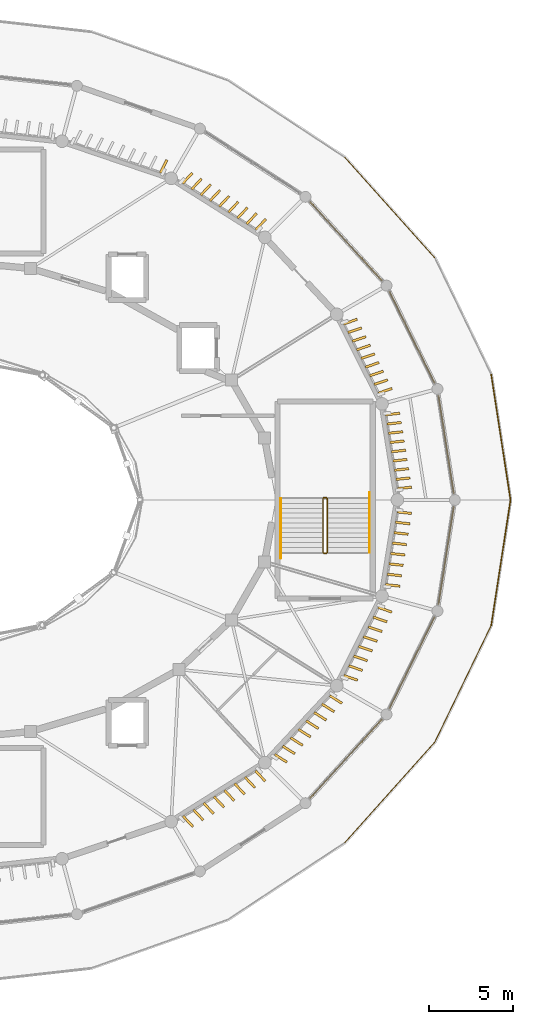
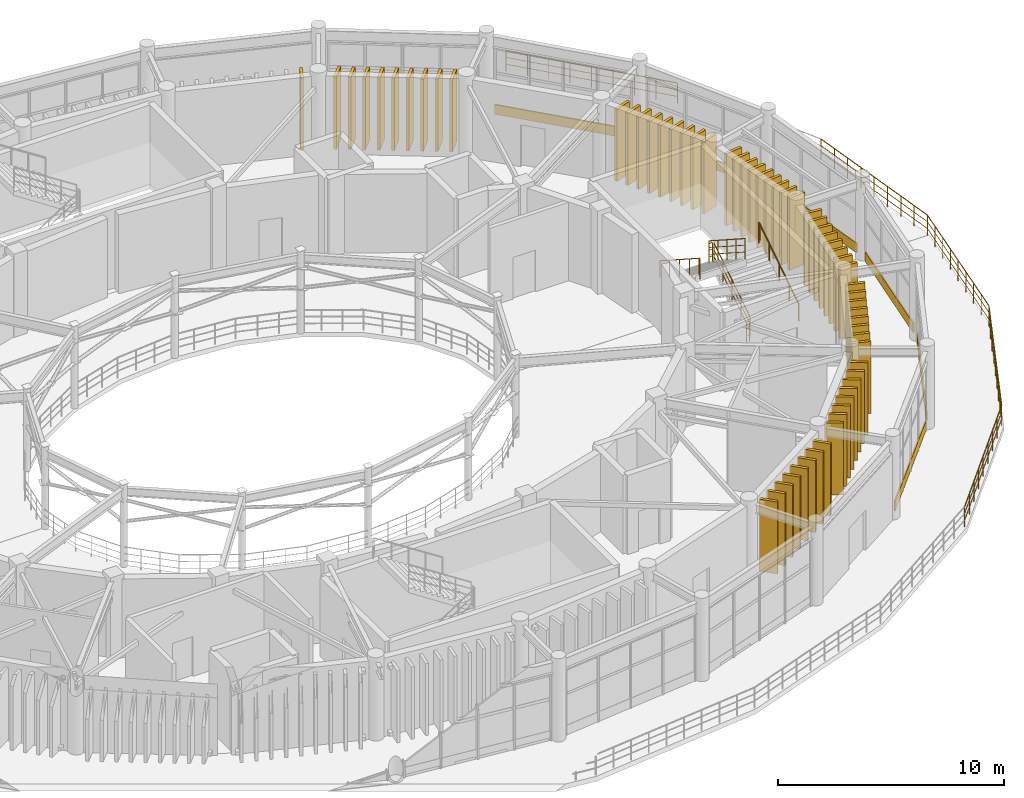
# One storey, part 44 of 45: 60 shading devices, 11 railings, 6 coverings.
"""IFC4 building model written with IfcOpenShell, lengths in metres."""

from ifc_helpers import new_model, si_unit, direction, frame, origin, origin_2d, place, context, subcontext, project, spatial, rectangle, circle, extrude, material, layer, layer_set, type_object, element, save


model = new_model("IFC4")

# Units and contexts
model_context = context("Model", 3, precision=1e-05, world=origin(), true_north=direction((0.0, 1.0)))
body_context = subcontext(model_context, "Body", "Model", "MODEL_VIEW")
ifc_project = project(units=[si_unit("LENGTHUNIT", "METRE"), si_unit("AREAUNIT", "SQUARE_METRE"), si_unit("VOLUMEUNIT", "CUBIC_METRE"), si_unit("PLANEANGLEUNIT", "RADIAN"), si_unit("MASSUNIT", "GRAM", prefix="KILO")], contexts=[model_context])

# Site, building, storey
site_placement = place(None, origin())
site = spatial("IfcSite", under=ifc_project, at=site_placement, CompositionType="ELEMENT")
building_placement = place(site_placement, origin())
building = spatial("IfcBuilding", under=site, at=building_placement, Name="Cinderbank Siding Concert Hall", CompositionType="ELEMENT")
storey_placement = place(building_placement, frame((0.0, 0.0, 19.199951171875)))
storey = spatial("IfcBuildingStorey", under=building, at=storey_placement, Name="L05", CompositionType="ELEMENT", Elevation=19.199951171875)

# Coverings
ifc_material_1 = material(Name="Spotted gum glulam timber GL18 (42 MPa)", Category="wood")
ifc_layer = layer(ifc_material_1, 0.06494140625)
ifc_layer_set = layer_set([ifc_layer], Name="Spotted gum glulam timber GL18 (42 MPa)")
covering_type = type_object("IfcCoveringType", Name="CL-01 Spotted Gum Spandrel Band 520mm", PredefinedType="CLADDING", material=ifc_layer_set)
covering_1_placement = place(storey_placement, frame((151.685546875, 47.287109375, 0.0), z_axis=(0.0, 0.0, 1.0), x_axis=(-0.154642773708, 0.987970451248, 0.0)))
element("IfcCovering", 1, at=covering_1_placement, inside=storey, type_object=covering_type, Name="CW-L05-072 Spotted Gum Spandrel Band", PredefinedType="CLADDING", context=body_context, shape_type="SweptSolid", body=[
    extrude(rectangle(XDim=5.8740234375, YDim=0.06494140625, at=origin_2d()), origin(), (0.0, 0.0, 1.0), 0.52001953125),
])
covering_2_placement = place(storey_placement, frame((149.66259765625, 53.636962890625, 0.0), z_axis=(0.0, 0.0, 1.0), x_axis=(-0.441816401468, 0.897105494016, 0.0)))
element("IfcCovering", 2, at=covering_2_placement, inside=storey, type_object=covering_type, Name="CW-L05-073 Spotted Gum Spandrel Band", PredefinedType="CLADDING", context=body_context, shape_type="SweptSolid", body=[
    extrude(rectangle(XDim=6.048583984375, YDim=0.06494140625, at=origin_2d()), origin(), (0.0, 0.0, 1.0), 0.52001953125),
])
for number, where, z_axis, x_axis, name in (
    (3, (145.75439453125, 59.330322265625, 0.0), (0.0, 0.0, 1.0), (-0.673988610863, 0.738741735945, 0.0), "CW-L05-074 Spotted Gum Spandrel Band"),
    (4, (145.75439453125, 28.669921875, 0.0), (0.0, 0.0, 1.0), (0.673988610863, 0.738741735945, 0.0), "CW-L05-090 Spotted Gum Spandrel Band"),
):
    element("IfcCovering", number, at=place(storey_placement, frame(where, z_axis=z_axis, x_axis=x_axis)), inside=storey, type_object=covering_type, Name=name, PredefinedType="CLADDING", context=body_context, shape_type="SweptSolid", body=[
        extrude(rectangle(XDim=6.3408203125, YDim=0.06494140625, at=origin_2d()), origin(), (0.0, 0.0, 1.0), 0.52001953125),
    ])
covering_3_placement = place(storey_placement, frame((149.66259765625, 34.363037109375, 0.0), z_axis=(0.0, 0.0, 1.0), x_axis=(0.441816401468, 0.897105494016, 0.0)))
element("IfcCovering", 5, at=covering_3_placement, inside=storey, type_object=covering_type, Name="CW-L05-091 Spotted Gum Spandrel Band", PredefinedType="CLADDING", context=body_context, shape_type="SweptSolid", body=[
    extrude(rectangle(XDim=6.048583984375, YDim=0.06494140625, at=origin_2d()), origin(), (0.0, 0.0, 1.0), 0.52001953125),
])
covering_4_placement = place(storey_placement, frame((151.685546875, 40.712890625, 0.0), z_axis=(0.0, 0.0, 1.0), x_axis=(0.154642773708, 0.987970451248, 0.0)))
element("IfcCovering", 6, at=covering_4_placement, inside=storey, type_object=covering_type, Name="CW-L05-092 Spotted Gum Spandrel Band", PredefinedType="CLADDING", context=body_context, shape_type="SweptSolid", body=[
    extrude(rectangle(XDim=5.8740234375, YDim=0.06494140625, at=origin_2d()), origin(), (0.0, 0.0, 1.0), 0.52001953125),
])

# Railings
ifc_material_2 = material(Name="Structural steel AS/NZS 3679.1 Grade 350 (340 MPa)", Category="steel")
railing_type_1 = type_object("IfcRailingType", Name="GD-01 Terrace & Perimeter Guardrail 1120mm", PredefinedType="GUARDRAIL", material=ifc_material_2)
railing_1_placement = place(storey_placement, frame((145.693115234375, 64.288330078125, 0.0)))
element("IfcRailing", 7, at=railing_1_placement, inside=storey, type_object=railing_type_1, Name="L05 Perimeter Guardrail #104", PredefinedType="GUARDRAIL", context=body_context, shape_type="SweptSolid", body=[
    extrude(circle(Radius=0.02392578125, at=origin_2d()), frame((0.0, 0.0, 1.09619140625), z_axis=(0.666982673657, -0.745073226631, 0.0), x_axis=(0.745073226631, 0.666982673657, 0.0)), (0.0, 0.0, 1.0), 7.978515625),
    extrude(circle(Radius=0.01611328125, at=origin_2d()), frame((0.0, 0.0, 0.36962890625), z_axis=(0.666982673657, -0.745073226631, 0.0), x_axis=(0.745073226631, 0.666982673657, 0.0)), (0.0, 0.0, 1.0), 7.978515625),
    extrude(circle(Radius=0.01611328125, at=origin_2d()), frame((0.0, 0.0, 0.7392578125), z_axis=(0.666982673657, -0.745073226631, 0.0), x_axis=(0.745073226631, 0.666982673657, 0.0)), (0.0, 0.0, 1.0), 7.978515625),
    extrude(circle(Radius=0.02099609375, at=origin_2d()), origin(), (0.0, 0.0, 1.0), 1.072021484375),
    extrude(circle(Radius=0.02099609375, at=origin_2d()), frame((0.665283203125, -0.7431640625, 0.0)), (0.0, 0.0, 1.0), 1.072021484375),
    extrude(circle(Radius=0.02099609375, at=origin_2d()), frame((1.330322265625, -1.486083984375, 0.0)), (0.0, 0.0, 1.0), 1.072021484375),
    extrude(circle(Radius=0.02099609375, at=origin_2d()), frame((1.99560546875, -2.229248046875, 0.0)), (0.0, 0.0, 1.0), 1.072021484375),
    extrude(circle(Radius=0.02099609375, at=origin_2d()), frame((2.66064453125, -2.97216796875, 0.0)), (0.0, 0.0, 1.0), 1.072021484375),
    extrude(circle(Radius=0.02099609375, at=origin_2d()), frame((3.325927734375, -3.71533203125, 0.0)), (0.0, 0.0, 1.0), 1.072021484375),
    extrude(circle(Radius=0.02099609375, at=origin_2d()), frame((3.9912109375, -4.45849609375, 0.0)), (0.0, 0.0, 1.0), 1.072021484375),
    extrude(circle(Radius=0.02099609375, at=origin_2d()), frame((4.65625, -5.201416015625, 0.0)), (0.0, 0.0, 1.0), 1.072021484375),
    extrude(circle(Radius=0.02099609375, at=origin_2d()), frame((5.321533203125, -5.944580078125, 0.0)), (0.0, 0.0, 1.0), 1.072021484375),
])
railing_2_placement = place(storey_placement, frame((154.3583984375, 51.424072265625, 0.0)))
element("IfcRailing", 8, at=railing_2_placement, inside=storey, type_object=railing_type_1, Name="L05 Perimeter Guardrail #106", PredefinedType="GUARDRAIL", context=body_context, shape_type="SweptSolid", body=[
    extrude(circle(Radius=0.02392578125, at=origin_2d()), frame((0.0, 0.0, 1.09619140625), z_axis=(0.151825144427, -0.988407368204, 0.0), x_axis=(0.988407368204, 0.151825144427, 0.0)), (0.0, 0.0, 1.0), 7.51123046875),
    extrude(circle(Radius=0.01611328125, at=origin_2d()), frame((0.0, 0.0, 0.36962890625), z_axis=(0.151825144427, -0.988407368204, 0.0), x_axis=(0.988407368204, 0.151825144427, 0.0)), (0.0, 0.0, 1.0), 7.51123046875),
    extrude(circle(Radius=0.01611328125, at=origin_2d()), frame((0.0, 0.0, 0.7392578125), z_axis=(0.151825144427, -0.988407368204, 0.0), x_axis=(0.988407368204, 0.151825144427, 0.0)), (0.0, 0.0, 1.0), 7.51123046875),
    extrude(circle(Radius=0.02099609375, at=origin_2d()), origin(), (0.0, 0.0, 1.0), 1.072021484375),
    extrude(circle(Radius=0.02099609375, at=origin_2d()), frame((0.142578125, -0.927978515625, 0.0)), (0.0, 0.0, 1.0), 1.072021484375),
    extrude(circle(Radius=0.02099609375, at=origin_2d()), frame((0.28515625, -1.85595703125, 0.0)), (0.0, 0.0, 1.0), 1.072021484375),
    extrude(circle(Radius=0.02099609375, at=origin_2d()), frame((0.427734375, -2.783935546875, 0.0)), (0.0, 0.0, 1.0), 1.072021484375),
    extrude(circle(Radius=0.02099609375, at=origin_2d()), frame((0.5703125, -3.7119140625, 0.0)), (0.0, 0.0, 1.0), 1.072021484375),
    extrude(circle(Radius=0.02099609375, at=origin_2d()), frame((0.712646484375, -4.64013671875, 0.0)), (0.0, 0.0, 1.0), 1.072021484375),
    extrude(circle(Radius=0.02099609375, at=origin_2d()), frame((0.855224609375, -5.568115234375, 0.0)), (0.0, 0.0, 1.0), 1.072021484375),
    extrude(circle(Radius=0.02099609375, at=origin_2d()), frame((0.997802734375, -6.49609375, 0.0)), (0.0, 0.0, 1.0), 1.072021484375),
    extrude(circle(Radius=0.02099609375, at=origin_2d()), frame((1.140380859375, -7.424072265625, 0.0)), (0.0, 0.0, 1.0), 1.072021484375),
])
railing_3_placement = place(storey_placement, frame((155.498779296875, 44.0, 0.0)))
element("IfcRailing", 9, at=railing_3_placement, inside=storey, type_object=railing_type_1, Name="L05 Perimeter Guardrail #107", PredefinedType="GUARDRAIL", context=body_context, shape_type="SweptSolid", body=[
    extrude(circle(Radius=0.02392578125, at=origin_2d()), frame((0.0, 0.0, 1.09619140625), z_axis=(-0.151825144427, -0.988407368204, 0.0), x_axis=(0.988407368204, -0.151825144427, 0.0)), (0.0, 0.0, 1.0), 7.51123046875),
    extrude(circle(Radius=0.01611328125, at=origin_2d()), frame((0.0, 0.0, 0.36962890625), z_axis=(-0.151825144427, -0.988407368204, 0.0), x_axis=(0.988407368204, -0.151825144427, 0.0)), (0.0, 0.0, 1.0), 7.51123046875),
    extrude(circle(Radius=0.01611328125, at=origin_2d()), frame((0.0, 0.0, 0.7392578125), z_axis=(-0.151825144427, -0.988407368204, 0.0), x_axis=(0.988407368204, -0.151825144427, 0.0)), (0.0, 0.0, 1.0), 7.51123046875),
    extrude(circle(Radius=0.02099609375, at=origin_2d()), origin(), (0.0, 0.0, 1.0), 1.072021484375),
    extrude(circle(Radius=0.02099609375, at=origin_2d()), frame((-0.142578125, -0.927978515625, 0.0)), (0.0, 0.0, 1.0), 1.072021484375),
    extrude(circle(Radius=0.02099609375, at=origin_2d()), frame((-0.28515625, -1.85595703125, 0.0)), (0.0, 0.0, 1.0), 1.072021484375),
    extrude(circle(Radius=0.02099609375, at=origin_2d()), frame((-0.427734375, -2.783935546875, 0.0)), (0.0, 0.0, 1.0), 1.072021484375),
    extrude(circle(Radius=0.02099609375, at=origin_2d()), frame((-0.5703125, -3.7119140625, 0.0)), (0.0, 0.0, 1.0), 1.072021484375),
    extrude(circle(Radius=0.02099609375, at=origin_2d()), frame((-0.712646484375, -4.64013671875, 0.0)), (0.0, 0.0, 1.0), 1.072021484375),
    extrude(circle(Radius=0.02099609375, at=origin_2d()), frame((-0.855224609375, -5.568115234375, 0.0)), (0.0, 0.0, 1.0), 1.072021484375),
    extrude(circle(Radius=0.02099609375, at=origin_2d()), frame((-0.997802734375, -6.49609375, 0.0)), (0.0, 0.0, 1.0), 1.072021484375),
    extrude(circle(Radius=0.02099609375, at=origin_2d()), frame((-1.140380859375, -7.424072265625, 0.0)), (0.0, 0.0, 1.0), 1.072021484375),
])
railing_4_placement = place(storey_placement, frame((154.3583984375, 36.575927734375, 0.0)))
element("IfcRailing", 10, at=railing_4_placement, inside=storey, type_object=railing_type_1, Name="L05 Perimeter Guardrail #108", PredefinedType="GUARDRAIL", context=body_context, shape_type="SweptSolid", body=[
    extrude(circle(Radius=0.02392578125, at=origin_2d()), frame((0.0, 0.0, 1.09619140625), z_axis=(-0.435088399424, -0.900387741302, 0.0), x_axis=(0.900387741302, -0.435088399424, 0.0)), (0.0, 0.0, 1.0), 7.685302734375),
    extrude(circle(Radius=0.01611328125, at=origin_2d()), frame((0.0, 0.0, 0.36962890625), z_axis=(-0.435088399424, -0.900387741302, 0.0), x_axis=(0.900387741302, -0.435088399424, 0.0)), (0.0, 0.0, 1.0), 7.685302734375),
    extrude(circle(Radius=0.01611328125, at=origin_2d()), frame((0.0, 0.0, 0.7392578125), z_axis=(-0.435088399424, -0.900387741302, 0.0), x_axis=(0.900387741302, -0.435088399424, 0.0)), (0.0, 0.0, 1.0), 7.685302734375),
    extrude(circle(Radius=0.02099609375, at=origin_2d()), origin(), (0.0, 0.0, 1.0), 1.072021484375),
    extrude(circle(Radius=0.02099609375, at=origin_2d()), frame((-0.41796875, -0.864990234375, 0.0)), (0.0, 0.0, 1.0), 1.072021484375),
    extrude(circle(Radius=0.02099609375, at=origin_2d()), frame((-0.8359375, -1.72998046875, 0.0)), (0.0, 0.0, 1.0), 1.072021484375),
    extrude(circle(Radius=0.02099609375, at=origin_2d()), frame((-1.25390625, -2.594970703125, 0.0)), (0.0, 0.0, 1.0), 1.072021484375),
    extrude(circle(Radius=0.02099609375, at=origin_2d()), frame((-1.671875, -3.4599609375, 0.0)), (0.0, 0.0, 1.0), 1.072021484375),
    extrude(circle(Radius=0.02099609375, at=origin_2d()), frame((-2.08984375, -4.32470703125, 0.0)), (0.0, 0.0, 1.0), 1.072021484375),
    extrude(circle(Radius=0.02099609375, at=origin_2d()), frame((-2.5078125, -5.189697265625, 0.0)), (0.0, 0.0, 1.0), 1.072021484375),
    extrude(circle(Radius=0.02099609375, at=origin_2d()), frame((-2.92578125, -6.0546875, 0.0)), (0.0, 0.0, 1.0), 1.072021484375),
    extrude(circle(Radius=0.02099609375, at=origin_2d()), frame((-3.34375, -6.919677734375, 0.0)), (0.0, 0.0, 1.0), 1.072021484375),
])
railing_5_placement = place(storey_placement, frame((151.0146484375, 29.65625, 0.0)))
element("IfcRailing", 11, at=railing_5_placement, inside=storey, type_object=railing_type_1, Name="L05 Perimeter Guardrail #109", PredefinedType="GUARDRAIL", context=body_context, shape_type="SweptSolid", body=[
    extrude(circle(Radius=0.02392578125, at=origin_2d()), frame((0.0, 0.0, 1.09619140625), z_axis=(-0.666982673657, -0.745073226631, 0.0), x_axis=(0.745073226631, -0.666982673657, 0.0)), (0.0, 0.0, 1.0), 7.978515625),
    extrude(circle(Radius=0.01611328125, at=origin_2d()), frame((0.0, 0.0, 0.36962890625), z_axis=(-0.666982673657, -0.745073226631, 0.0), x_axis=(0.745073226631, -0.666982673657, 0.0)), (0.0, 0.0, 1.0), 7.978515625),
    extrude(circle(Radius=0.01611328125, at=origin_2d()), frame((0.0, 0.0, 0.7392578125), z_axis=(-0.666982673657, -0.745073226631, 0.0), x_axis=(0.745073226631, -0.666982673657, 0.0)), (0.0, 0.0, 1.0), 7.978515625),
    extrude(circle(Radius=0.02099609375, at=origin_2d()), origin(), (0.0, 0.0, 1.0), 1.072021484375),
    extrude(circle(Radius=0.02099609375, at=origin_2d()), frame((-0.665283203125, -0.7431640625, 0.0)), (0.0, 0.0, 1.0), 1.072021484375),
    extrude(circle(Radius=0.02099609375, at=origin_2d()), frame((-1.330322265625, -1.486083984375, 0.0)), (0.0, 0.0, 1.0), 1.072021484375),
    extrude(circle(Radius=0.02099609375, at=origin_2d()), frame((-1.99560546875, -2.229248046875, 0.0)), (0.0, 0.0, 1.0), 1.072021484375),
    extrude(circle(Radius=0.02099609375, at=origin_2d()), frame((-2.66064453125, -2.97216796875, 0.0)), (0.0, 0.0, 1.0), 1.072021484375),
    extrude(circle(Radius=0.02099609375, at=origin_2d()), frame((-3.325927734375, -3.71533203125, 0.0)), (0.0, 0.0, 1.0), 1.072021484375),
    extrude(circle(Radius=0.02099609375, at=origin_2d()), frame((-3.9912109375, -4.45849609375, 0.0)), (0.0, 0.0, 1.0), 1.072021484375),
    extrude(circle(Radius=0.02099609375, at=origin_2d()), frame((-4.65625, -5.201416015625, 0.0)), (0.0, 0.0, 1.0), 1.072021484375),
    extrude(circle(Radius=0.02099609375, at=origin_2d()), frame((-5.321533203125, -5.944580078125, 0.0)), (0.0, 0.0, 1.0), 1.072021484375),
])

# Shading devices
ifc_material_3 = material(Name="Glazed architectural terracotta acoustic louvre unit", Category="masonry")
shading_device_type = type_object("IfcShadingDeviceType", Name="LV-01 Terracotta Louvre Blade 850x3850", PredefinedType="JALOUSIE", material=ifc_material_3)
for number, where, z_axis, x_axis, name in (
    (12, (149.22119140625, 44.715576171875, 0.0751953125), (0.0, 0.0, 1.0), (0.994210818271, 0.107446958234, 0.0), "L05 Terracotta Louvre Blade #1"),
    (13, (149.133544921875, 45.2626953125, 0.0751953125), (0.0, 0.0, 1.0), (0.994210818271, 0.107446958234, 0.0), "L05 Terracotta Louvre Blade #2"),
    (14, (149.0458984375, 45.809814453125, 0.0751953125), (0.0, 0.0, 1.0), (0.994210818271, 0.107446958234, 0.0), "L05 Terracotta Louvre Blade #3"),
    (15, (148.9580078125, 46.35693359375, 0.0751953125), (0.0, 0.0, 1.0), (0.994210818271, 0.107446958234, 0.0), "L05 Terracotta Louvre Blade #4"),
    (16, (148.870361328125, 46.90380859375, 0.0751953125), (0.0, 0.0, 1.0), (0.994210818271, 0.107446958234, 0.0), "L05 Terracotta Louvre Blade #5"),
    (17, (148.78271484375, 47.450927734375, 0.0751953125), (0.0, 0.0, 1.0), (0.994210818271, 0.107446958234, 0.0), "L05 Terracotta Louvre Blade #6"),
    (18, (148.69482421875, 47.998046875, 0.0751953125), (0.0, 0.0, 1.0), (0.994210818271, 0.107446958234, 0.0), "L05 Terracotta Louvre Blade #7"),
    (19, (148.607177734375, 48.545166015625, 0.0751953125), (0.0, 0.0, 1.0), (0.994210818271, 0.107446958234, 0.0), "L05 Terracotta Louvre Blade #8"),
    (20, (148.519287109375, 49.09228515625, 0.0751953125), (0.0, 0.0, 1.0), (0.994210818271, 0.107446958234, 0.0), "L05 Terracotta Louvre Blade #9"),
    (21, (148.083740234375, 50.468994140625, 0.0751953125), (0.0, 0.0, 1.0), (0.946765351164, 0.321924478466, 0.0), "L05 Terracotta Louvre Blade #10"),
    (22, (147.8251953125, 50.981201171875, 0.0751953125), (0.0, 0.0, 1.0), (0.946765351164, 0.321924478466, 0.0), "L05 Terracotta Louvre Blade #11"),
    (23, (147.56689453125, 51.493408203125, 0.0751953125), (0.0, 0.0, 1.0), (0.946765351164, 0.321924478466, 0.0), "L05 Terracotta Louvre Blade #12"),
    (24, (147.308349609375, 52.00537109375, 0.0751953125), (0.0, 0.0, 1.0), (0.946765351164, 0.321924478466, 0.0), "L05 Terracotta Louvre Blade #13"),
    (25, (147.0498046875, 52.517578125, 0.0751953125), (0.0, 0.0, 1.0), (0.946765351164, 0.321924478466, 0.0), "L05 Terracotta Louvre Blade #14"),
    (26, (146.79150390625, 53.02978515625, 0.0751953125), (0.0, 0.0, 1.0), (0.946765351164, 0.321924478466, 0.0), "L05 Terracotta Louvre Blade #15"),
    (27, (146.533203125, 53.5419921875, 0.0751953125), (0.0, 0.0, 1.0), (0.946765351164, 0.321924478466, 0.0), "L05 Terracotta Louvre Blade #16"),
    (28, (146.274658203125, 54.05419921875, 0.0751953125), (0.0, 0.0, 1.0), (0.946765351164, 0.321924478466, 0.0), "L05 Terracotta Louvre Blade #17"),
    (29, (146.01611328125, 54.56640625, 0.0751953125), (0.0, 0.0, 1.0), (0.946765351164, 0.321924478466, 0.0), "L05 Terracotta Louvre Blade #18"),
    (30, (140.710693359375, 60.322509765625, 0.0751953125), (0.0, 0.0, 1.0), (0.682869257989, 0.730540605643, 0.0), "L05 Terracotta Louvre Blade #19"),
    (31, (140.167236328125, 60.664794921875, 0.0751953125), (0.0, 0.0, 1.0), (0.682869257989, 0.730540605643, 0.0), "L05 Terracotta Louvre Blade #20"),
    (32, (139.6240234375, 61.007080078125, 0.0751953125), (0.0, 0.0, 1.0), (0.682869257989, 0.730540605643, 0.0), "L05 Terracotta Louvre Blade #21"),
    (33, (139.08056640625, 61.349365234375, 0.0751953125), (0.0, 0.0, 1.0), (0.682869257989, 0.730540605643, 0.0), "L05 Terracotta Louvre Blade #22"),
    (34, (138.537109375, 61.691650390625, 0.0751953125), (0.0, 0.0, 1.0), (0.682869257989, 0.730540605643, 0.0), "L05 Terracotta Louvre Blade #23"),
    (35, (137.993896484375, 62.033935546875, 0.0751953125), (0.0, 0.0, 1.0), (0.682869257989, 0.730540605643, 0.0), "L05 Terracotta Louvre Blade #24"),
    (36, (137.450439453125, 62.376220703125, 0.0751953125), (0.0, 0.0, 1.0), (0.682869257989, 0.730540605643, 0.0), "L05 Terracotta Louvre Blade #25"),
    (37, (136.906982421875, 62.718505859375, 0.0751953125), (0.0, 0.0, 1.0), (0.682869257989, 0.730540605643, 0.0), "L05 Terracotta Louvre Blade #26"),
    (38, (136.363525390625, 63.060791015625, 0.0751953125), (0.0, 0.0, 1.0), (0.682869257989, 0.730540605643, 0.0), "L05 Terracotta Louvre Blade #27"),
    (39, (134.951416015625, 63.759521484375, 0.0751953125), (0.0, 0.0, 1.0), (0.450487284518, 0.89278284397, 0.0), "L05 Terracotta Louvre Blade #28"),
    (40, (136.397705078125, 24.960693359375, 0.0751953125), (0.0, 0.0, 1.0), (0.682869257989, -0.730540605643, 0.0), "L05 Terracotta Louvre Blade #162"),
    (41, (137.0087890625, 25.345703125, 0.0751953125), (0.0, 0.0, 1.0), (0.682869257989, -0.730540605643, 0.0), "L05 Terracotta Louvre Blade #163"),
    (42, (137.6201171875, 25.730712890625, 0.0751953125), (0.0, 0.0, 1.0), (0.682869257989, -0.730540605643, 0.0), "L05 Terracotta Louvre Blade #164"),
    (43, (138.2314453125, 26.11572265625, 0.0751953125), (0.0, 0.0, 1.0), (0.682869257989, -0.730540605643, 0.0), "L05 Terracotta Louvre Blade #165"),
    (44, (138.8427734375, 26.5009765625, 0.0751953125), (0.0, 0.0, 1.0), (0.682869257989, -0.730540605643, 0.0), "L05 Terracotta Louvre Blade #166"),
    (45, (139.4541015625, 26.885986328125, 0.0751953125), (0.0, 0.0, 1.0), (0.682869257989, -0.730540605643, 0.0), "L05 Terracotta Louvre Blade #167"),
    (46, (140.0654296875, 27.27099609375, 0.0751953125), (0.0, 0.0, 1.0), (0.682869257989, -0.730540605643, 0.0), "L05 Terracotta Louvre Blade #168"),
    (47, (140.6767578125, 27.656005859375, 0.0751953125), (0.0, 0.0, 1.0), (0.682869257989, -0.730540605643, 0.0), "L05 Terracotta Louvre Blade #169"),
    (48, (141.898193359375, 28.6953125, 0.0751953125), (0.0, 0.0, 1.0), (0.846132246596, -0.532973002384, 0.0), "L05 Terracotta Louvre Blade #170"),
    (49, (142.364013671875, 29.193603515625, 0.0751953125), (0.0, 0.0, 1.0), (0.846132246596, -0.532973002384, 0.0), "L05 Terracotta Louvre Blade #171"),
    (50, (142.829833984375, 29.69189453125, 0.0751953125), (0.0, 0.0, 1.0), (0.846132246596, -0.532973002384, 0.0), "L05 Terracotta Louvre Blade #172"),
    (51, (143.295654296875, 30.190185546875, 0.0751953125), (0.0, 0.0, 1.0), (0.846132246596, -0.532973002384, 0.0), "L05 Terracotta Louvre Blade #173"),
    (52, (143.76123046875, 30.6884765625, 0.0751953125), (0.0, 0.0, 1.0), (0.846132246596, -0.532973002384, 0.0), "L05 Terracotta Louvre Blade #174"),
    (53, (144.22705078125, 31.186767578125, 0.0751953125), (0.0, 0.0, 1.0), (0.846132246596, -0.532973002384, 0.0), "L05 Terracotta Louvre Blade #175"),
    (54, (144.69287109375, 31.68505859375, 0.0751953125), (0.0, 0.0, 1.0), (0.846132246596, -0.532973002384, 0.0), "L05 Terracotta Louvre Blade #176"),
    (55, (145.15869140625, 32.18359375, 0.0751953125), (0.0, 0.0, 1.0), (0.846132246596, -0.532973002384, 0.0), "L05 Terracotta Louvre Blade #177"),
    (56, (146.0322265625, 33.4658203125, 0.0751953125), (0.0, 0.0, 1.0), (0.946765351164, -0.321924478466, 0.0), "L05 Terracotta Louvre Blade #178"),
    (57, (146.322998046875, 34.0419921875, 0.0751953125), (0.0, 0.0, 1.0), (0.946765351164, -0.321924478466, 0.0), "L05 Terracotta Louvre Blade #179"),
    (58, (146.61376953125, 34.6181640625, 0.0751953125), (0.0, 0.0, 1.0), (0.946765351164, -0.321924478466, 0.0), "L05 Terracotta Louvre Blade #180"),
    (59, (146.904541015625, 35.1943359375, 0.0751953125), (0.0, 0.0, 1.0), (0.946765351164, -0.321924478466, 0.0), "L05 Terracotta Louvre Blade #181"),
    (60, (147.1953125, 35.7705078125, 0.0751953125), (0.0, 0.0, 1.0), (0.946765351164, -0.321924478466, 0.0), "L05 Terracotta Louvre Blade #182"),
    (61, (147.486083984375, 36.3466796875, 0.0751953125), (0.0, 0.0, 1.0), (0.946765351164, -0.321924478466, 0.0), "L05 Terracotta Louvre Blade #183"),
    (62, (147.77685546875, 36.9228515625, 0.0751953125), (0.0, 0.0, 1.0), (0.946765351164, -0.321924478466, 0.0), "L05 Terracotta Louvre Blade #184"),
    (63, (148.0673828125, 37.4990234375, 0.0751953125), (0.0, 0.0, 1.0), (0.946765351164, -0.321924478466, 0.0), "L05 Terracotta Louvre Blade #185"),
    (64, (148.52490234375, 38.94189453125, 0.0751953125), (0.0, 0.0, 1.0), (0.994210818271, -0.107446958234, 0.0), "L05 Terracotta Louvre Blade #186"),
    (65, (148.62353515625, 39.557373046875, 0.0751953125), (0.0, 0.0, 1.0), (0.994210818271, -0.107446958234, 0.0), "L05 Terracotta Louvre Blade #187"),
    (66, (148.722412109375, 40.1728515625, 0.0751953125), (0.0, 0.0, 1.0), (0.994210818271, -0.107446958234, 0.0), "L05 Terracotta Louvre Blade #188"),
    (67, (148.821044921875, 40.788330078125, 0.0751953125), (0.0, 0.0, 1.0), (0.994210818271, -0.107446958234, 0.0), "L05 Terracotta Louvre Blade #189"),
    (68, (148.919677734375, 41.40380859375, 0.0751953125), (0.0, 0.0, 1.0), (0.994210818271, -0.107446958234, 0.0), "L05 Terracotta Louvre Blade #190"),
    (69, (149.018310546875, 42.019287109375, 0.0751953125), (0.0, 0.0, 1.0), (0.994210818271, -0.107446958234, 0.0), "L05 Terracotta Louvre Blade #191"),
    (70, (149.1171875, 42.634765625, 0.0751953125), (0.0, 0.0, 1.0), (0.994210818271, -0.107446958234, 0.0), "L05 Terracotta Louvre Blade #192"),
    (71, (149.2158203125, 43.250244140625, 0.0751953125), (0.0, 0.0, 1.0), (0.994210818271, -0.107446958234, 0.0), "L05 Terracotta Louvre Blade #193"),
):
    element("IfcShadingDevice", number, at=place(storey_placement, frame(where, z_axis=z_axis, x_axis=x_axis)), inside=storey, type_object=shading_device_type, Name=name, PredefinedType="JALOUSIE", context=body_context, shape_type="SweptSolid", body=[
        extrude(rectangle(XDim=0.85009765625, YDim=0.139892578125, at=origin_2d()), origin(), (0.0, 0.0, 1.0), 3.889892578125),
    ])

# Railings
railing_type_2 = type_object("IfcRailingType", Name="STG-01 Stair Well Guardrail 1120mm", PredefinedType="GUARDRAIL", material=ifc_material_2)
railing_6_placement = place(storey_placement, frame((144.64990234375, 40.89990234375, 0.1875)))
element("IfcRailing", 72, at=railing_6_placement, inside=storey, type_object=railing_type_2, Name="L05 ST-03 stair guard 1", PredefinedType="GUARDRAIL", context=body_context, shape_type="SweptSolid", body=[
    extrude(circle(Radius=0.02392578125, at=origin_2d()), frame((0.0, 0.0, 1.09619140625), z_axis=(0.0, 0.839778728322, 0.542928805147), x_axis=(-1.0, 0.0, 0.0)), (0.0, 0.0, 1.0), 3.798828125),
    extrude(circle(Radius=0.01611328125, at=origin_2d()), frame((0.0, 0.0, 0.36962890625), z_axis=(0.0, 0.839778728322, 0.542928805147), x_axis=(-1.0, 0.0, 0.0)), (0.0, 0.0, 1.0), 3.798828125),
    extrude(circle(Radius=0.01611328125, at=origin_2d()), frame((0.0, 0.0, 0.7392578125), z_axis=(0.0, 0.839778728322, 0.542928805147), x_axis=(-1.0, 0.0, 0.0)), (0.0, 0.0, 1.0), 3.798828125),
    extrude(circle(Radius=0.02099609375, at=origin_2d()), origin(), (0.0, 0.0, 1.0), 1.072021484375),
    extrude(circle(Radius=0.02099609375, at=origin_2d()), frame((0.0, 0.797607421875, 0.515625)), (0.0, 0.0, 1.0), 1.072021484375),
    extrude(circle(Radius=0.02099609375, at=origin_2d()), frame((0.0, 1.59521484375, 1.03125)), (0.0, 0.0, 1.0), 1.072021484375),
    extrude(circle(Radius=0.02099609375, at=origin_2d()), frame((0.0, 2.392578125, 1.546875)), (0.0, 0.0, 1.0), 1.072021484375),
    extrude(circle(Radius=0.02099609375, at=origin_2d()), frame((0.0, 3.190185546875, 2.0625)), (0.0, 0.0, 1.0), 1.072021484375),
])
railing_7_placement = place(storey_placement, frame((144.60009765625, 44.139892578125, 2.25)))
element("IfcRailing", 73, at=railing_7_placement, inside=storey, type_object=railing_type_2, Name="L05 ST-03 stair guard 2", PredefinedType="GUARDRAIL", context=body_context, shape_type="SweptSolid", body=[
    extrude(circle(Radius=0.02392578125, at=origin_2d()), frame((0.0, 0.0, 1.09619140625), z_axis=(-1.0, 0.0, 0.0), x_axis=(0.0, -1.0, 0.0)), (0.0, 0.0, 1.0), 0.16015625),
    extrude(circle(Radius=0.01611328125, at=origin_2d()), frame((0.0, 0.0, 0.36962890625), z_axis=(-1.0, 0.0, 0.0), x_axis=(0.0, -1.0, 0.0)), (0.0, 0.0, 1.0), 0.16015625),
    extrude(circle(Radius=0.01611328125, at=origin_2d()), frame((0.0, 0.0, 0.7392578125), z_axis=(-1.0, 0.0, 0.0), x_axis=(0.0, -1.0, 0.0)), (0.0, 0.0, 1.0), 0.16015625),
    extrude(circle(Radius=0.02099609375, at=origin_2d()), origin(), (0.0, 0.0, 1.0), 1.072021484375),
    extrude(circle(Radius=0.02099609375, at=origin_2d()), frame((-0.16015625, 0.0, 0.0)), (0.0, 0.0, 1.0), 1.072021484375),
])
railing_8_placement = place(storey_placement, frame((144.389892578125, 44.090087890625, 2.4375)))
element("IfcRailing", 74, at=railing_8_placement, inside=storey, type_object=railing_type_2, Name="L05 ST-03 stair guard 3", PredefinedType="GUARDRAIL", context=body_context, shape_type="SweptSolid", body=[
    extrude(circle(Radius=0.02392578125, at=origin_2d()), frame((0.0, 0.0, 1.09619140625), z_axis=(0.0, -0.839778728322, 0.542928805147), x_axis=(1.0, 0.0, 0.0)), (0.0, 0.0, 1.0), 3.798828125),
    extrude(circle(Radius=0.01611328125, at=origin_2d()), frame((0.0, 0.0, 0.36962890625), z_axis=(0.0, -0.839778728322, 0.542928805147), x_axis=(1.0, 0.0, 0.0)), (0.0, 0.0, 1.0), 3.798828125),
    extrude(circle(Radius=0.01611328125, at=origin_2d()), frame((0.0, 0.0, 0.7392578125), z_axis=(0.0, -0.839778728322, 0.542928805147), x_axis=(1.0, 0.0, 0.0)), (0.0, 0.0, 1.0), 3.798828125),
    extrude(circle(Radius=0.02099609375, at=origin_2d()), origin(), (0.0, 0.0, 1.0), 1.072021484375),
    extrude(circle(Radius=0.02099609375, at=origin_2d()), frame((0.0, -0.797607421875, 0.515625)), (0.0, 0.0, 1.0), 1.072021484375),
    extrude(circle(Radius=0.02099609375, at=origin_2d()), frame((0.0, -1.59521484375, 1.03125)), (0.0, 0.0, 1.0), 1.072021484375),
    extrude(circle(Radius=0.02099609375, at=origin_2d()), frame((0.0, -2.392578125, 1.546875)), (0.0, 0.0, 1.0), 1.072021484375),
    extrude(circle(Radius=0.02099609375, at=origin_2d()), frame((0.0, -3.190185546875, 2.0625)), (0.0, 0.0, 1.0), 1.072021484375),
])
railing_9_placement = place(storey_placement, frame((144.60009765625, 40.85009765625, 0.0)))
element("IfcRailing", 75, at=railing_9_placement, inside=storey, type_object=railing_type_2, Name="L05 ST-03 stair guard 4", PredefinedType="GUARDRAIL", context=body_context, shape_type="SweptSolid", body=[
    extrude(circle(Radius=0.02392578125, at=origin_2d()), frame((0.0, 0.0, 1.09619140625), z_axis=(-1.0, 0.0, 0.0), x_axis=(0.0, -1.0, 0.0)), (0.0, 0.0, 1.0), 0.16015625),
    extrude(circle(Radius=0.01611328125, at=origin_2d()), frame((0.0, 0.0, 0.36962890625), z_axis=(-1.0, 0.0, 0.0), x_axis=(0.0, -1.0, 0.0)), (0.0, 0.0, 1.0), 0.16015625),
    extrude(circle(Radius=0.01611328125, at=origin_2d()), frame((0.0, 0.0, 0.7392578125), z_axis=(-1.0, 0.0, 0.0), x_axis=(0.0, -1.0, 0.0)), (0.0, 0.0, 1.0), 0.16015625),
    extrude(circle(Radius=0.02099609375, at=origin_2d()), origin(), (0.0, 0.0, 1.0), 1.072021484375),
    extrude(circle(Radius=0.02099609375, at=origin_2d()), frame((-0.16015625, 0.0, 0.0)), (0.0, 0.0, 1.0), 1.072021484375),
])
railing_type_3 = type_object("IfcRailingType", Name="STH-01 Stair Pitch Handrail 920mm", PredefinedType="HANDRAIL", material=ifc_material_2)
railing_10_placement = place(storey_placement, frame((147.14990234375, 40.89990234375, 0.1875)))
element("IfcRailing", 76, at=railing_10_placement, inside=storey, type_object=railing_type_3, Name="L05 ST-03 stair handrail 1", PredefinedType="HANDRAIL", context=body_context, shape_type="SweptSolid", body=[
    extrude(circle(Radius=0.02392578125, at=origin_2d()), frame((0.0, 0.0, 0.89599609375), z_axis=(0.0, 0.839762940478, 0.542953224319), x_axis=(-1.0, 0.0, 0.0)), (0.0, 0.0, 1.0), 4.14404296875),
    extrude(circle(Radius=0.02392578125, at=origin_2d()), frame((0.0, 3.47998046875, 3.14599609375), z_axis=(0.0, 1.0, 0.0), x_axis=(-1.0, 0.0, 0.0)), (0.0, 0.0, 1.0), 0.06005859375),
    extrude(circle(Radius=0.02099609375, at=origin_2d()), origin(), (0.0, 0.0, 1.0), 0.871826171875),
    extrude(circle(Radius=0.02099609375, at=origin_2d()), frame((0.0, 0.8701171875, 0.5625)), (0.0, 0.0, 1.0), 0.871826171875),
    extrude(circle(Radius=0.02099609375, at=origin_2d()), frame((0.0, 1.739990234375, 1.125)), (0.0, 0.0, 1.0), 0.871826171875),
    extrude(circle(Radius=0.02099609375, at=origin_2d()), frame((0.0, 2.60986328125, 1.6875)), (0.0, 0.0, 1.0), 0.871826171875),
    extrude(circle(Radius=0.02099609375, at=origin_2d()), frame((0.0, 3.47998046875, 2.25)), (0.0, 0.0, 1.0), 0.871826171875),
    extrude(circle(Radius=0.02099609375, at=origin_2d()), frame((0.0, 3.5400390625, 2.0625)), (0.0, 0.0, 1.0), 1.059326171875),
])
railing_11_placement = place(storey_placement, frame((141.889892578125, 44.090087890625, 2.4375)))
element("IfcRailing", 77, at=railing_11_placement, inside=storey, type_object=railing_type_3, Name="L05 ST-03 stair handrail 2", PredefinedType="HANDRAIL", context=body_context, shape_type="SweptSolid", body=[
    extrude(circle(Radius=0.02392578125, at=origin_2d()), frame((0.0, 0.0, 0.89599609375), z_axis=(0.0, -0.839762940478, 0.542953224319), x_axis=(1.0, 0.0, 0.0)), (0.0, 0.0, 1.0), 4.14404296875),
    extrude(circle(Radius=0.02392578125, at=origin_2d()), frame((0.0, -3.47998046875, 3.14599609375), z_axis=(0.0, -1.0, 0.0), x_axis=(1.0, 0.0, 0.0)), (0.0, 0.0, 1.0), 0.06005859375),
    extrude(circle(Radius=0.02099609375, at=origin_2d()), origin(), (0.0, 0.0, 1.0), 0.871826171875),
    extrude(circle(Radius=0.02099609375, at=origin_2d()), frame((0.0, -0.8701171875, 0.5625)), (0.0, 0.0, 1.0), 0.871826171875),
    extrude(circle(Radius=0.02099609375, at=origin_2d()), frame((0.0, -1.739990234375, 1.125)), (0.0, 0.0, 1.0), 0.871826171875),
    extrude(circle(Radius=0.02099609375, at=origin_2d()), frame((0.0, -2.60986328125, 1.6875)), (0.0, 0.0, 1.0), 0.871826171875),
    extrude(circle(Radius=0.02099609375, at=origin_2d()), frame((0.0, -3.47998046875, 2.25)), (0.0, 0.0, 1.0), 0.871826171875),
    extrude(circle(Radius=0.02099609375, at=origin_2d()), frame((0.0, -3.5400390625, 2.0625)), (0.0, 0.0, 1.0), 1.059326171875),
])

save(model, "model.ifc")
